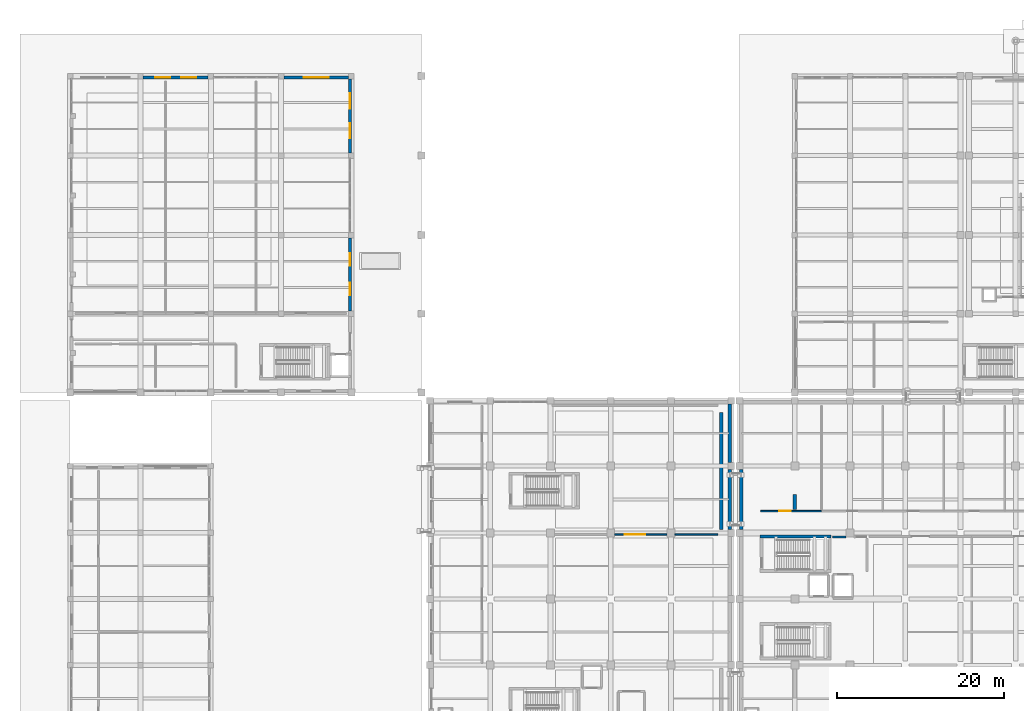
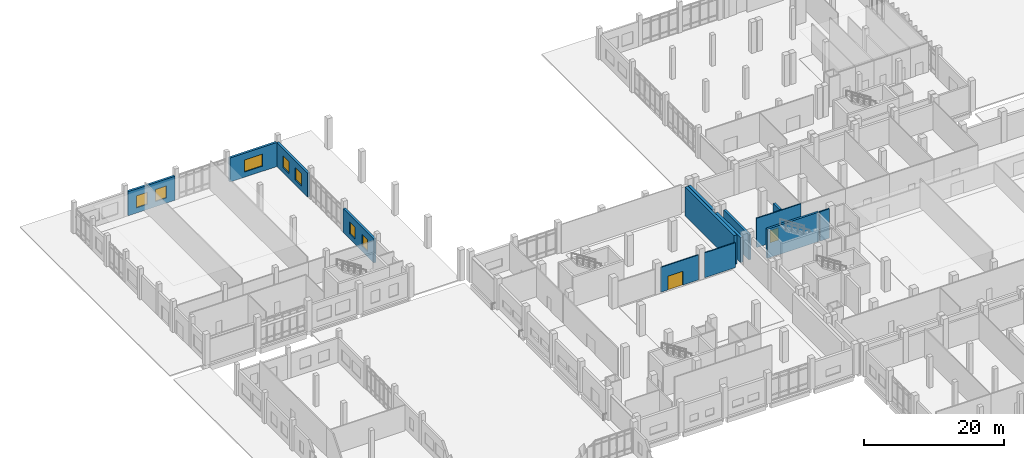
# One storey, part 58 of 79: 14 walls, 7 windows, 2 doors, 9 openings.
"""IFC4 building model written with IfcOpenShell, lengths in metres."""

from ifc_helpers import new_model, si_unit, direction, frame, frame_2d, origin, place, context, subcontext, project, spatial, rectangle, extrude, material, layer, layer_set, type_object, element, fill, save


model = new_model("IFC4")

# Units and contexts
model_context = context("Model", 3, precision=1e-05, world=origin(), true_north=direction((0.0, 1.0)))
body_context = subcontext(model_context, "Body", "Model", "MODEL_VIEW")
ifc_project = project(units=[si_unit("LENGTHUNIT", "METRE"), si_unit("AREAUNIT", "SQUARE_METRE"), si_unit("VOLUMEUNIT", "CUBIC_METRE"), si_unit("PLANEANGLEUNIT", "RADIAN"), si_unit("MASSUNIT", "GRAM", prefix="KILO")], contexts=[model_context])

# Site, building, storey
site_placement = place(None, origin())
site = spatial("IfcSite", under=ifc_project, at=site_placement, CompositionType="ELEMENT")
building_placement = place(site_placement, origin())
building = spatial("IfcBuilding", under=site, at=building_placement, Name="Kelarvand Opera House", CompositionType="ELEMENT")
storey_placement = place(building_placement, origin())
storey = spatial("IfcBuildingStorey", under=building, at=storey_placement, Name="L00", CompositionType="ELEMENT", Elevation=0.0)

# Walls
ifc_material_1 = material(Name="Concrete C35/45", Category="concrete")
ifc_layer_1 = layer(ifc_material_1, 0.39990234375, Name="Concrete C35/45", Category="concrete")
ifc_layer_set_1 = layer_set([ifc_layer_1], Name="Concrete C35/45")
wall_type_1 = type_object("IfcWallType", Name="Acoustic Brick-Travertine Double Wall 400", PredefinedType="SOLIDWALL", material=ifc_layer_set_1)
wall_1_placement = place(storey_placement, frame((89.179931640625, 70.81005859375, 0.0), z_axis=(0.0, 0.0, 1.0), x_axis=(0.0, 1.0, 0.0)))
element("IfcWall", 1, at=wall_1_placement, inside=storey, type_object=wall_type_1, Name="V1 L00 Exterior Wall EW-400 (67)", PredefinedType="SOLIDWALL", context=body_context, shape_type="SweptSolid", body=[
    extrude(rectangle(XDim=7.179931640625, YDim=0.39990234375, at=frame_2d((3.58984375, 0.0))), origin(), (0.0, 0.0, 1.0), 4.342041015625),
])
ifc_material_2 = material(Name="Concrete C40/50", Category="concrete")
ifc_layer_2 = layer(ifc_material_2, 0.449951171875, Name="Concrete C40/50", Category="concrete")
ifc_layer_set_2 = layer_set([ifc_layer_2], Name="Concrete C40/50")
wall_type_2 = type_object("IfcWallType", Name="Acoustic Proscenium Shear Wall 450", PredefinedType="SHEAR", material=ifc_layer_set_2)
wall_2_placement = place(storey_placement, frame((86.800048828125, 70.800048828125, 0.0), z_axis=(0.0, 0.0, 1.0), x_axis=(0.0, 1.0, 0.0)))
element("IfcWall", 2, at=wall_2_placement, inside=storey, type_object=wall_type_2, Name="V2 Shear Wall PW-120 L00", PredefinedType="SHEAR", context=body_context, shape_type="SweptSolid", body=[
    extrude(rectangle(XDim=14.0, YDim=0.449951171875, at=frame_2d((7.0, 0.0))), origin(), (0.0, 0.0, 1.0), 5.080078125),
])

# Wall, openings, windows
ifc_layer_3 = layer(ifc_material_1, 0.360107421875, Name="Concrete C35/45", Category="concrete")
ifc_layer_set_3 = layer_set([ifc_layer_3], Name="Concrete C35/45")
wall_type_3 = type_object("IfcWallType", Name="Azarshahr Travertine Cavity Wall 360", PredefinedType="SOLIDWALL", material=ifc_layer_set_3)
wall_3_placement = place(storey_placement, frame((42.419921875, 124.675048828125, 0.0), z_axis=(0.0, 0.0, 1.0), x_axis=(0.0, -1.0, 0.0)))
wall_3 = element("IfcWall", 3, at=wall_3_placement, inside=storey, type_object=wall_type_3, Name="V3 L00 Exterior Wall EW-360 (391)", PredefinedType="SOLIDWALL", context=body_context, shape_type="SweptSolid", body=[
    extrude(rectangle(XDim=8.85009765625, YDim=0.360107421875, at=frame_2d((4.425048828125, 0.0))), origin(), (0.0, 0.0, 1.0), 4.19189453125),
])
opening_1_placement = place(wall_3_placement, frame((1.7548828125, 0.0, 0.89990234375)))
opening_1 = element("IfcOpeningElement", 4, at=opening_1_placement, cuts=wall_3, Name="Opening WN-05", PredefinedType="OPENING", context=body_context, shape_type="SweptSolid", body=[
    extrude(rectangle(XDim=1.800048828125, YDim=2.10009765625, at=frame_2d((0.89990234375, 1.050048828125))), frame((0.0, 0.18994140625, 0.0), z_axis=(0.0, -1.0, 0.0), x_axis=(1.0, 0.0, 0.0)), (0.0, 0.0, 1.0), 0.380126953125),
])
opening_2_placement = place(wall_3_placement, frame((5.294921875, 0.0, 0.89990234375)))
opening_2 = element("IfcOpeningElement", 5, at=opening_2_placement, cuts=wall_3, Name="Opening WN-05", PredefinedType="OPENING", context=body_context, shape_type="SweptSolid", body=[
    extrude(rectangle(XDim=1.800048828125, YDim=2.10009765625, at=frame_2d((0.89990234375, 1.050048828125))), frame((0.0, 0.18994140625, 0.0), z_axis=(0.0, -1.0, 0.0), x_axis=(1.0, 0.0, 0.0)), (0.0, 0.0, 1.0), 0.380126953125),
])
ifc_material_3 = material(Name="Thermally broken aluminium and low-E double glazing", Category="aluminium")
window_type_1 = type_object("IfcWindowType", Name="Recessed Aluminium Thermal Window 1800x2100 WN-05", PartitioningType="SINGLE_PANEL", PredefinedType="WINDOW", material=ifc_material_3)
window_1_placement = place(opening_1_placement, origin())
window_1 = element("IfcWindow", 6, at=window_1_placement, inside=storey, type_object=window_type_1, Name="V3 L00 Facade Window WN-05 (139)", OverallHeight=2.10009765625, OverallWidth=1.800048828125, PartitioningType="SINGLE_PANEL", PredefinedType="WINDOW", context=body_context, shape_type="SweptSolid", body=[
    extrude(rectangle(XDim=1.800048828125, YDim=2.10009765625, at=frame_2d((0.89990234375, 1.050048828125))), frame((0.0, 0.030029296875, 0.0), z_axis=(0.0, -1.0, 0.0), x_axis=(1.0, 0.0, 0.0)), (0.0, 0.0, 1.0), 0.06005859375),
])
fill(opening_1, window_1)
window_2_placement = place(opening_2_placement, origin())
window_2 = element("IfcWindow", 7, at=window_2_placement, inside=storey, type_object=window_type_1, Name="V3 L00 Facade Window WN-05 (140)", OverallHeight=2.10009765625, OverallWidth=1.800048828125, PartitioningType="SINGLE_PANEL", PredefinedType="WINDOW", context=body_context, shape_type="SweptSolid", body=[
    extrude(rectangle(XDim=1.800048828125, YDim=2.10009765625, at=frame_2d((0.89990234375, 1.050048828125))), frame((0.0, 0.030029296875, 0.0), z_axis=(0.0, -1.0, 0.0), x_axis=(1.0, 0.0, 0.0)), (0.0, 0.0, 1.0), 0.06005859375),
])
fill(opening_2, window_2)

wall_4_placement = place(storey_placement, frame((42.419921875, 105.675048828125, 0.0), z_axis=(0.0, 0.0, 1.0), x_axis=(0.0, -1.0, 0.0)))
wall_4 = element("IfcWall", 8, at=wall_4_placement, inside=storey, type_object=wall_type_3, Name="V3 L00 Exterior Wall EW-360 (392)", PredefinedType="SOLIDWALL", context=body_context, shape_type="SweptSolid", body=[
    extrude(rectangle(XDim=8.75, YDim=0.360107421875, at=frame_2d((4.375, 0.0))), origin(), (0.0, 0.0, 1.0), 4.19189453125),
])
opening_3_placement = place(wall_4_placement, frame((1.875, 0.0, 0.89990234375)))
opening_3 = element("IfcOpeningElement", 9, at=opening_3_placement, cuts=wall_4, Name="Opening WN-04", PredefinedType="OPENING", context=body_context, shape_type="SweptSolid", body=[
    extrude(rectangle(XDim=1.5, YDim=2.10009765625, at=frame_2d((0.75, 1.050048828125))), frame((0.0, 0.18994140625, 0.0), z_axis=(0.0, -1.0, 0.0), x_axis=(1.0, 0.0, 0.0)), (0.0, 0.0, 1.0), 0.380126953125),
])
opening_4_placement = place(wall_4_placement, frame((5.375, 0.0, 0.89990234375)))
opening_4 = element("IfcOpeningElement", 10, at=opening_4_placement, cuts=wall_4, Name="Opening WN-04", PredefinedType="OPENING", context=body_context, shape_type="SweptSolid", body=[
    extrude(rectangle(XDim=1.5, YDim=2.10009765625, at=frame_2d((0.75, 1.050048828125))), frame((0.0, 0.18994140625, 0.0), z_axis=(0.0, -1.0, 0.0), x_axis=(1.0, 0.0, 0.0)), (0.0, 0.0, 1.0), 0.380126953125),
])
window_type_2 = type_object("IfcWindowType", Name="Recessed Aluminium Thermal Window 1500x2100 WN-04", PartitioningType="SINGLE_PANEL", PredefinedType="WINDOW", material=ifc_material_3)
window_3_placement = place(opening_3_placement, origin())
window_3 = element("IfcWindow", 11, at=window_3_placement, inside=storey, type_object=window_type_2, Name="V3 L00 Facade Window WN-04 (141)", OverallHeight=2.10009765625, OverallWidth=1.5, PartitioningType="SINGLE_PANEL", PredefinedType="WINDOW", context=body_context, shape_type="SweptSolid", body=[
    extrude(rectangle(XDim=1.5, YDim=2.10009765625, at=frame_2d((0.75, 1.050048828125))), frame((0.0, 0.030029296875, 0.0), z_axis=(0.0, -1.0, 0.0), x_axis=(1.0, 0.0, 0.0)), (0.0, 0.0, 1.0), 0.06005859375),
])
fill(opening_3, window_3)
window_4_placement = place(opening_4_placement, origin())
window_4 = element("IfcWindow", 12, at=window_4_placement, inside=storey, type_object=window_type_2, Name="V3 L00 Facade Window WN-04 (142)", OverallHeight=2.10009765625, OverallWidth=1.5, PartitioningType="SINGLE_PANEL", PredefinedType="WINDOW", context=body_context, shape_type="SweptSolid", body=[
    extrude(rectangle(XDim=1.5, YDim=2.10009765625, at=frame_2d((0.75, 1.050048828125))), frame((0.0, 0.030029296875, 0.0), z_axis=(0.0, -1.0, 0.0), x_axis=(1.0, 0.0, 0.0)), (0.0, 0.0, 1.0), 0.06005859375),
])
fill(opening_4, window_4)

wall_5_placement = place(storey_placement, frame((17.72509765625, 124.820068359375, 0.0), z_axis=(0.0, 0.0, 1.0), x_axis=(1.0, 0.0, 0.0)))
wall_5 = element("IfcWall", 13, at=wall_5_placement, inside=storey, type_object=wall_type_3, Name="V3 L00 Exterior Wall EW-360 (395)", PredefinedType="SOLIDWALL", context=body_context, shape_type="SweptSolid", body=[
    extrude(rectangle(XDim=7.75, YDim=0.360107421875, at=frame_2d((3.875, 0.0))), origin(), (0.0, 0.0, 1.0), 4.19189453125),
])
opening_5_placement = place(wall_5_placement, frame((1.425048828125, 0.0, 0.89990234375)))
opening_5 = element("IfcOpeningElement", 14, at=opening_5_placement, cuts=wall_5, Name="Opening WN-05", PredefinedType="OPENING", context=body_context, shape_type="SweptSolid", body=[
    extrude(rectangle(XDim=1.800048828125, YDim=2.10009765625, at=frame_2d((0.89990234375, 1.050048828125))), frame((0.0, 0.18994140625, 0.0), z_axis=(0.0, -1.0, 0.0), x_axis=(1.0, 0.0, 0.0)), (0.0, 0.0, 1.0), 0.380126953125),
])
opening_6_placement = place(wall_5_placement, frame((4.52490234375, 0.0, 0.89990234375)))
opening_6 = element("IfcOpeningElement", 15, at=opening_6_placement, cuts=wall_5, Name="Opening WN-05", PredefinedType="OPENING", context=body_context, shape_type="SweptSolid", body=[
    extrude(rectangle(XDim=1.800048828125, YDim=2.10009765625, at=frame_2d((0.89990234375, 1.050048828125))), frame((0.0, 0.18994140625, 0.0), z_axis=(0.0, -1.0, 0.0), x_axis=(1.0, 0.0, 0.0)), (0.0, 0.0, 1.0), 0.380126953125),
])
window_5_placement = place(opening_5_placement, origin())
window_5 = element("IfcWindow", 16, at=window_5_placement, inside=storey, type_object=window_type_1, Name="V3 L00 Facade Window WN-05 (145)", OverallHeight=2.10009765625, OverallWidth=1.800048828125, PartitioningType="SINGLE_PANEL", PredefinedType="WINDOW", context=body_context, shape_type="SweptSolid", body=[
    extrude(rectangle(XDim=1.800048828125, YDim=2.10009765625, at=frame_2d((0.89990234375, 1.050048828125))), frame((0.0, 0.030029296875, 0.0), z_axis=(0.0, -1.0, 0.0), x_axis=(1.0, 0.0, 0.0)), (0.0, 0.0, 1.0), 0.06005859375),
])
fill(opening_5, window_5)
window_6_placement = place(opening_6_placement, origin())
window_6 = element("IfcWindow", 17, at=window_6_placement, inside=storey, type_object=window_type_1, Name="V3 L00 Facade Window WN-05 (146)", OverallHeight=2.10009765625, OverallWidth=1.800048828125, PartitioningType="SINGLE_PANEL", PredefinedType="WINDOW", context=body_context, shape_type="SweptSolid", body=[
    extrude(rectangle(XDim=1.800048828125, YDim=2.10009765625, at=frame_2d((0.89990234375, 1.050048828125))), frame((0.0, 0.030029296875, 0.0), z_axis=(0.0, -1.0, 0.0), x_axis=(1.0, 0.0, 0.0)), (0.0, 0.0, 1.0), 0.06005859375),
])
fill(opening_6, window_6)

# Wall, opening, window
wall_6_placement = place(storey_placement, frame((34.52490234375, 124.820068359375, 0.0), z_axis=(0.0, 0.0, 1.0), x_axis=(1.0, 0.0, 0.0)))
wall_6 = element("IfcWall", 18, at=wall_6_placement, inside=storey, type_object=wall_type_3, Name="V3 L00 Exterior Wall EW-360 (396)", PredefinedType="SOLIDWALL", context=body_context, shape_type="SweptSolid", body=[
    extrude(rectangle(XDim=7.75, YDim=0.360107421875, at=frame_2d((3.875, 0.0))), origin(), (0.0, 0.0, 1.0), 4.19189453125),
])
opening_7_placement = place(wall_6_placement, frame((2.375, 0.0, 0.89990234375)))
opening_7 = element("IfcOpeningElement", 19, at=opening_7_placement, cuts=wall_6, Name="Opening WN-09", PredefinedType="OPENING", context=body_context, shape_type="SweptSolid", body=[
    extrude(rectangle(XDim=3.0, YDim=2.10009765625, at=frame_2d((1.5, 1.050048828125))), frame((0.0, 0.18994140625, 0.0), z_axis=(0.0, -1.0, 0.0), x_axis=(1.0, 0.0, 0.0)), (0.0, 0.0, 1.0), 0.380126953125),
])
window_type_3 = type_object("IfcWindowType", Name="Recessed Aluminium Thermal Window 3000x2100 WN-09", PartitioningType="SINGLE_PANEL", PredefinedType="WINDOW", material=ifc_material_3)
window_7_placement = place(opening_7_placement, origin())
window_7 = element("IfcWindow", 20, at=window_7_placement, inside=storey, type_object=window_type_3, Name="V3 L00 Facade Window WN-09 (147)", OverallHeight=2.10009765625, OverallWidth=3.0, PartitioningType="SINGLE_PANEL", PredefinedType="WINDOW", context=body_context, shape_type="SweptSolid", body=[
    extrude(rectangle(XDim=3.0, YDim=2.10009765625, at=frame_2d((1.5, 1.050048828125))), frame((0.0, 0.030029296875, 0.0), z_axis=(0.0, -1.0, 0.0), x_axis=(1.0, 0.0, 0.0)), (0.0, 0.0, 1.0), 0.06005859375),
])
fill(opening_7, window_7)

# Wall
ifc_layer_4 = layer(ifc_material_2, 0.35009765625, Name="Concrete C40/50", Category="concrete")
ifc_layer_set_4 = layer_set([ifc_layer_4], Name="Concrete C40/50")
wall_type_4 = type_object("IfcWallType", Name="Core Stair and Lift Shear Wall 350", PredefinedType="SHEAR", material=ifc_layer_set_4)
wall_7_placement = place(storey_placement, frame((99.949951171875, 69.97509765625, 0.0), z_axis=(0.0, 0.0, 1.0), x_axis=(-1.0, 0.0, 0.0)))
element("IfcWall", 21, at=wall_7_placement, inside=storey, type_object=wall_type_4, Name="C1 Stair Core Shear Wall N L00", PredefinedType="SHEAR", context=body_context, shape_type="SweptSolid", body=[
    extrude(rectangle(XDim=8.5, YDim=0.35009765625, at=frame_2d((4.25, 0.0))), origin(), (0.0, 0.0, 1.0), 5.10009765625),
])

# Wall, opening, door
ifc_layer_5 = layer(ifc_material_1, 0.179931640625, Name="Concrete C35/45", Category="concrete")
ifc_layer_set_5 = layer_set([ifc_layer_5], Name="Concrete C35/45")
wall_type_5 = type_object("IfcWallType", Name="Corridor Fire-Rated Partition Wall 180 EI90", PredefinedType="PARTITIONING", material=ifc_layer_set_5)
wall_8_placement = place(storey_placement, frame((91.5, 73.0, 0.0), z_axis=(0.0, 0.0, 1.0), x_axis=(1.0, 0.0, 0.0)))
wall_8 = element("IfcWall", 22, at=wall_8_placement, inside=storey, type_object=wall_type_5, Name="V1 L00 Partition Wall IW-90 (250)", PredefinedType="PARTITIONING", context=body_context, shape_type="SweptSolid", body=[
    extrude(rectangle(XDim=7.300048828125, YDim=0.179931640625, at=frame_2d((3.64990234375, 0.0))), origin(), (0.0, 0.0, 1.0), 5.092041015625),
])
opening_8_placement = place(wall_8_placement, frame((2.2509765625, 0.0, 0.0)))
opening_8 = element("IfcOpeningElement", 23, at=opening_8_placement, cuts=wall_8, Name="Opening D-12", PredefinedType="OPENING", context=body_context, shape_type="SweptSolid", body=[
    extrude(rectangle(XDim=1.35009765625, YDim=2.159912109375, at=frame_2d((0.675048828125, 1.080078125))), frame((0.0, 0.10009765625, 0.0), z_axis=(0.0, -1.0, 0.0), x_axis=(1.0, 0.0, 0.0)), (0.0, 0.0, 1.0), 0.199951171875),
])
ifc_material_4 = material(Name="Acoustic walnut-veneered hardwood", Category="wood")
door_type_1 = type_object("IfcDoorType", Name="Wardrobe Studio Leaf-and-Half Door 1350x2160", OperationType="NOTDEFINED", PredefinedType="DOOR", material=ifc_material_4)
door_1_placement = place(opening_8_placement, origin())
door_1 = element("IfcDoor", 24, at=door_1_placement, inside=storey, type_object=door_type_1, Name="V1 L00 Door D-12 (105)", OperationType="SINGLE_SWING_LEFT", OverallHeight=2.159912109375, OverallWidth=1.35009765625, PredefinedType="DOOR", context=body_context, shape_type="SweptSolid", body=[
    extrude(rectangle(XDim=1.35009765625, YDim=2.159912109375, at=frame_2d((0.675048828125, 1.080078125))), frame((0.0, 0.02490234375, 0.0), z_axis=(0.0, -1.0, 0.0), x_axis=(1.0, 0.0, 0.0)), (0.0, 0.0, 1.0), 0.050048828125),
])
fill(opening_8, door_1)

wall_9_placement = place(storey_placement, frame((74.074951171875, 70.199951171875, 0.0), z_axis=(0.0, 0.0, 1.0), x_axis=(1.0, 0.0, 0.0)))
wall_9 = element("IfcWall", 25, at=wall_9_placement, inside=storey, type_object=wall_type_5, Name="V2 L00 Partition Wall IW-90 (265)", PredefinedType="PARTITIONING", context=body_context, shape_type="SweptSolid", body=[
    extrude(rectangle(XDim=6.25, YDim=0.179931640625, at=frame_2d((3.125, 0.0))), origin(), (0.0, 0.0, 1.0), 4.342041015625),
])
opening_9_placement = place(wall_9_placement, frame((1.22509765625, 0.0, 0.0)))
opening_9 = element("IfcOpeningElement", 26, at=opening_9_placement, cuts=wall_9, Name="Opening D-05", PredefinedType="OPENING", context=body_context, shape_type="SweptSolid", body=[
    extrude(rectangle(XDim=2.39990234375, YDim=2.39990234375, at=frame_2d((1.199951171875, 1.199951171875))), frame((0.0, 0.10009765625, 0.0), z_axis=(0.0, -1.0, 0.0), x_axis=(1.0, 0.0, 0.0)), (0.0, 0.0, 1.0), 0.199951171875),
])
door_type_2 = type_object("IfcDoorType", Name="Stage Acoustic Scenery Double Door 2400x2400", OperationType="NOTDEFINED", PredefinedType="DOOR", material=ifc_material_4)
door_2_placement = place(opening_9_placement, origin())
door_2 = element("IfcDoor", 27, at=door_2_placement, inside=storey, type_object=door_type_2, Name="V2 L00 Door D-05 (113)", OperationType="DOUBLE_DOOR_SINGLE_SWING", OverallHeight=2.39990234375, OverallWidth=2.39990234375, PredefinedType="DOOR", context=body_context, shape_type="SweptSolid", body=[
    extrude(rectangle(XDim=2.39990234375, YDim=2.39990234375, at=frame_2d((1.199951171875, 1.199951171875))), frame((0.0, 0.02490234375, 0.0), z_axis=(0.0, -1.0, 0.0), x_axis=(1.0, 0.0, 0.0)), (0.0, 0.0, 1.0), 0.050048828125),
])
fill(opening_9, door_2)

# Walls
wall_10_placement = place(storey_placement, frame((81.27490234375, 70.199951171875, 0.0), z_axis=(0.0, 0.0, 1.0), x_axis=(1.0, 0.0, 0.0)))
element("IfcWall", 28, at=wall_10_placement, inside=storey, type_object=wall_type_5, Name="V2 L00 Partition Wall IW-90 (266)", PredefinedType="PARTITIONING", context=body_context, shape_type="SweptSolid", body=[
    extrude(rectangle(XDim=5.125, YDim=0.179931640625, at=frame_2d((2.5625, 0.0))), origin(), (0.0, 0.0, 1.0), 4.342041015625),
])
ifc_layer_6 = layer(ifc_material_1, 0.239990234375, Name="Concrete C35/45", Category="concrete")
ifc_layer_set_6 = layer_set([ifc_layer_6], Name="Concrete C35/45")
wall_type_6 = type_object("IfcWallType", Name="Firefighting Lobby Partition Wall 240 EI120", PredefinedType="PARTITIONING", material=ifc_layer_set_6)
wall_11_placement = place(storey_placement, frame((101.72509765625, 69.89990234375, 0.0), z_axis=(0.0, 0.0, 1.0), x_axis=(-1.0, 0.0, 0.0)))
element("IfcWall", 29, at=wall_11_placement, inside=storey, type_object=wall_type_6, Name="V1 L00 Partition Wall IW-120 (219)", PredefinedType="PARTITIONING", context=body_context, shape_type="SweptSolid", body=[
    extrude(rectangle(XDim=1.625, YDim=0.239990234375, at=frame_2d((0.8125, 0.0))), origin(), (0.0, 0.0, 1.0), 5.092041015625),
])
ifc_layer_7 = layer(ifc_material_2, 0.39990234375, Name="Concrete C40/50", Category="concrete")
ifc_layer_set_7 = layer_set([ifc_layer_7], Name="Concrete C40/50")
wall_type_7 = type_object("IfcWallType", Name="Seismic Compartment Shear Wall 400", PredefinedType="SHEAR", material=ifc_layer_set_7)
wall_12_placement = place(storey_placement, frame((95.60009765625, 73.199951171875, 0.0), z_axis=(0.0, 0.0, 1.0), x_axis=(0.0, 1.0, 0.0)))
element("IfcWall", 30, at=wall_12_placement, inside=storey, type_object=wall_type_7, Name="V1 Shear Wall CW-120 L00", PredefinedType="SHEAR", context=body_context, shape_type="SweptSolid", body=[
    extrude(rectangle(XDim=1.800048828125, YDim=0.39990234375, at=frame_2d((0.89990234375, 0.0))), origin(), (0.0, 0.0, 1.0), 5.080078125),
])
ifc_layer_8 = layer(ifc_material_1, 0.43994140625, Name="Concrete C35/45", Category="concrete")
ifc_layer_set_8 = layer_set([ifc_layer_8], Name="Concrete C35/45")
wall_type_8 = type_object("IfcWallType", Name="Stage House Acoustic Cavity Wall 440", PredefinedType="SOLIDWALL", material=ifc_layer_set_8)
wall_13_placement = place(storey_placement, frame((87.820068359375, 85.7900390625, 0.0), z_axis=(0.0, 0.0, 1.0), x_axis=(0.0, -1.0, 0.0)))
element("IfcWall", 31, at=wall_13_placement, inside=storey, type_object=wall_type_8, Name="V2 L00 Exterior Wall EW-440 (220)", PredefinedType="SOLIDWALL", context=body_context, shape_type="SweptSolid", body=[
    extrude(rectangle(XDim=6.97998046875, YDim=0.43994140625, at=frame_2d((3.489990234375, 0.0))), origin(), (0.0, 0.0, 1.0), 4.342041015625),
])
wall_14_placement = place(storey_placement, frame((87.820068359375, 77.989990234375, 0.0), z_axis=(0.0, 0.0, 1.0), x_axis=(0.0, -1.0, 0.0)))
element("IfcWall", 32, at=wall_14_placement, inside=storey, type_object=wall_type_8, Name="V2 L00 Exterior Wall EW-440 (221)", PredefinedType="SOLIDWALL", context=body_context, shape_type="SweptSolid", body=[
    extrude(rectangle(XDim=7.179931640625, YDim=0.43994140625, at=frame_2d((3.58984375, 0.0))), origin(), (0.0, 0.0, 1.0), 4.342041015625),
])

save(model, "model.ifc")
